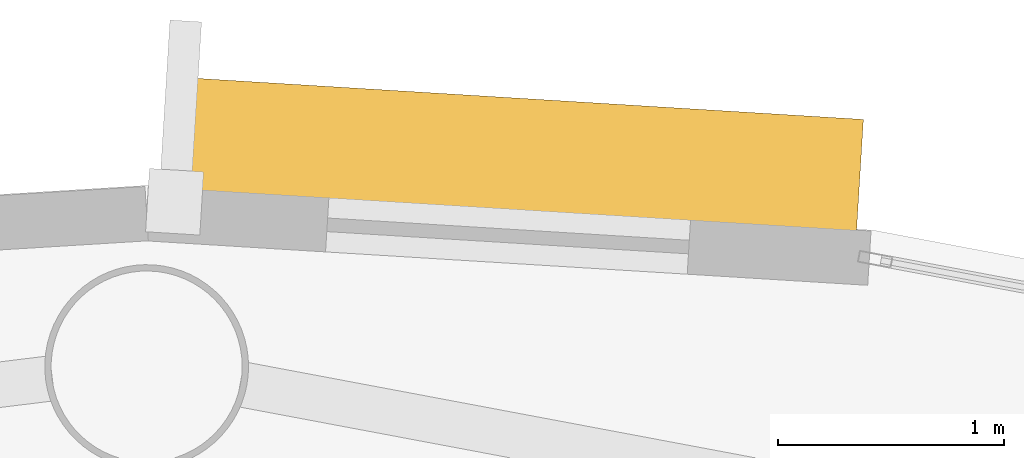
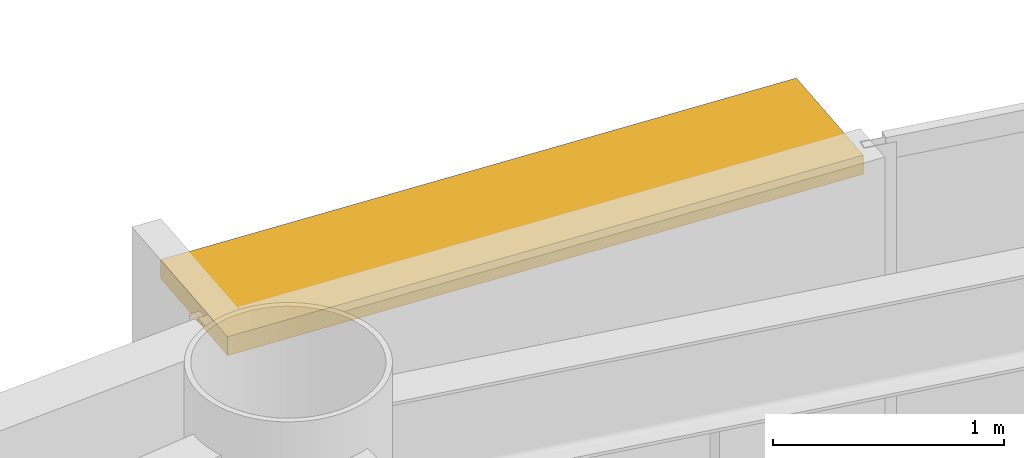
# One storey, part 19 of 19: 1 shading device.
"""IFC4 building model written with IfcOpenShell, lengths in metres."""

from ifc_helpers import new_model, si_unit, direction, frame, origin, origin_2d, place, context, subcontext, project, spatial, rectangle, extrude, source, transform, mapped, material, layer, layer_set, type_object, element, save


model = new_model("IFC4")

# Units and contexts
model_context = context("Model", 3, precision=1e-05, world=origin(), true_north=direction((0.0, 1.0)))
body_context = subcontext(model_context, "Body", "Model", "MODEL_VIEW")
ifc_project = project(units=[si_unit("LENGTHUNIT", "METRE"), si_unit("AREAUNIT", "SQUARE_METRE"), si_unit("VOLUMEUNIT", "CUBIC_METRE"), si_unit("PLANEANGLEUNIT", "RADIAN"), si_unit("MASSUNIT", "GRAM", prefix="KILO")], contexts=[model_context])

# Site, building, storey
site_placement = place(None, origin())
site = spatial("IfcSite", under=ifc_project, at=site_placement, CompositionType="ELEMENT")
building_placement = place(site_placement, origin())
building = spatial("IfcBuilding", under=site, at=building_placement, Name="Linh Dai School and Residence Tower", CompositionType="ELEMENT")
storey_placement = place(building_placement, frame((0.0, 0.0, 339.199951171875)))
storey = spatial("IfcBuildingStorey", under=building, at=storey_placement, Name="L84", CompositionType="ELEMENT", Elevation=339.199951171875)

# Shading device
ifc_material = material(Name="Terracotta Ceramic Sunshade", Category="masonry")
ifc_layer = layer(ifc_material, 0.10009765625)
ifc_layer_set = layer_set([ifc_layer], Name="Terracotta Ceramic Sunshade")
shading_device_type = type_object("IfcShadingDeviceType", Name="SHD-TC-650", PredefinedType="USERDEFINED", material=ifc_layer_set)
shared_shape = source(origin(), body_context, "Body", "SweptSolid", [
    extrude(rectangle(XDim=3.069580078125, YDim=0.64990234375, at=origin_2d()), origin(), (0.0, 0.0, 1.0), 0.10009765625),
])
shading_device_placement = place(storey_placement, frame((37.61328125, 43.1162109375, 3.429931640625), z_axis=(0.0, 0.0, 1.0), x_axis=(0.998105945335, -0.061518467854, 0.0)))
element("IfcShadingDevice", 1, at=shading_device_placement, inside=storey, type_object=shading_device_type, Name="L84 Terracotta Horizontal Sunshade Band 10", ObjectType="SUNSHADE", PredefinedType="USERDEFINED", context=body_context, shape_type="MappedRepresentation", body=[
    mapped(shared_shape, transform((0.0, 0.0, 0.0), x_axis=(1.0, 0.0, 0.0), y_axis=(0.0, 1.0, 0.0), z_axis=(0.0, 0.0, 1.0), scale=1.0)),
])

save(model, "model.ifc")
